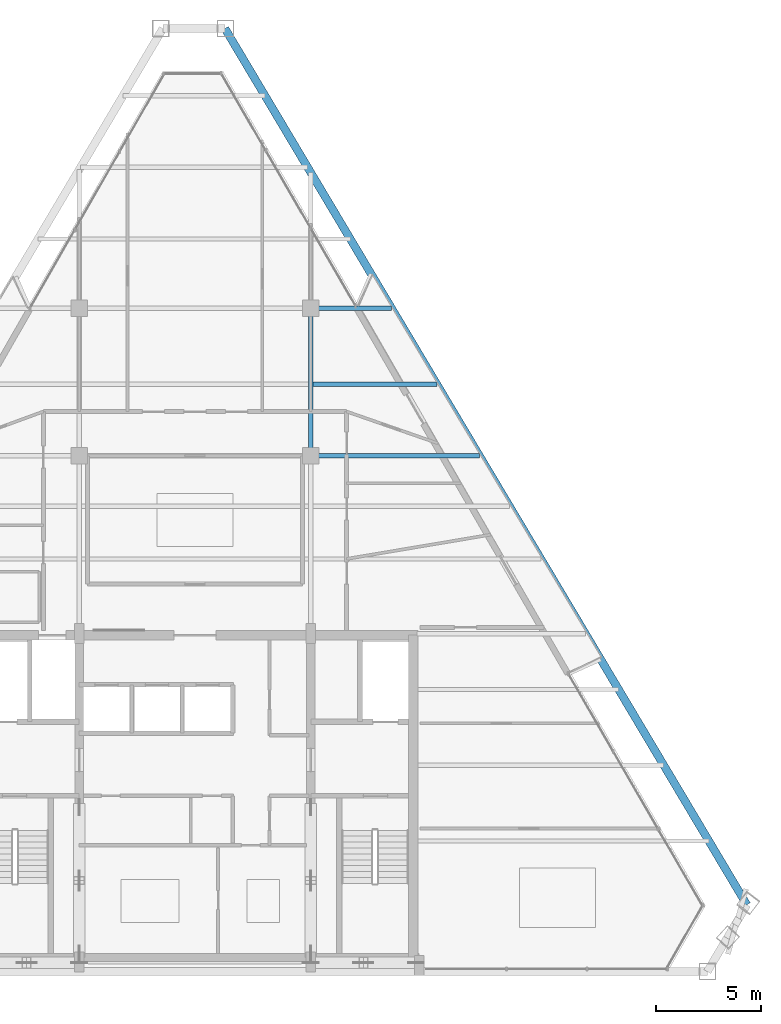
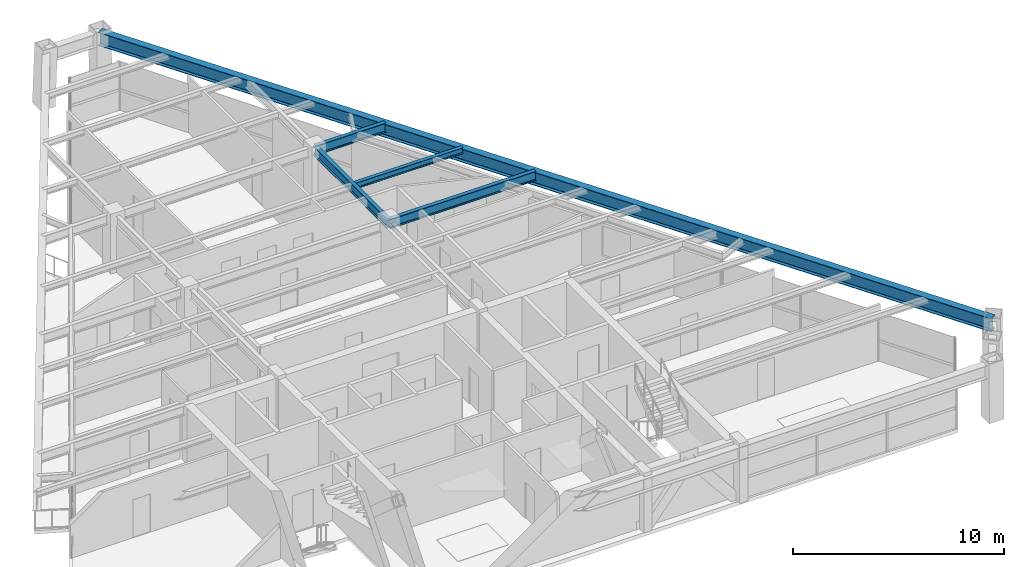
# One storey, part 6 of 13: 5 beams.
"""IFC4 building model written with IfcOpenShell, lengths in metres."""

from ifc_helpers import new_model, si_unit, direction, frame, origin, origin_2d, place, context, subcontext, project, spatial, i_section, extrude, source, transform, mapped, material, material_profile, profile_set, type_object, element, save


model = new_model("IFC4")

# Units and contexts
model_context = context("Model", 3, precision=1e-05, world=origin(), true_north=direction((0.0, 1.0)))
body_context = subcontext(model_context, "Body", "Model", "MODEL_VIEW")
ifc_project = project(units=[si_unit("LENGTHUNIT", "METRE"), si_unit("AREAUNIT", "SQUARE_METRE"), si_unit("VOLUMEUNIT", "CUBIC_METRE"), si_unit("PLANEANGLEUNIT", "RADIAN"), si_unit("MASSUNIT", "GRAM", prefix="KILO")], contexts=[model_context])

# Site, building, storey
site_placement = place(None, origin())
site = spatial("IfcSite", under=ifc_project, at=site_placement, CompositionType="ELEMENT")
building_placement = place(site_placement, origin())
building = spatial("IfcBuilding", under=site, at=building_placement, Name="Varnakhor Terracotta Tower", CompositionType="ELEMENT")
storey_placement = place(building_placement, frame((0.0, 0.0, 293.699951171875)))
storey = spatial("IfcBuildingStorey", under=building, at=storey_placement, Name="L77", CompositionType="ELEMENT", Elevation=293.699951171875)

# Beams
ifc_material = material(Name="Steel S355", Category="steel")
ifc_material_profile_1 = material_profile(ifc_material, i_section(OverallWidth=0.214111328125, OverallDepth=0.549072265625, WebThickness=0.014892578125, FlangeThickness=0.02392578125, FilletRadius=0.01806640625, at=origin_2d()), Name="W21X93")
ifc_profile_set_1 = profile_set([ifc_material_profile_1], Name="Steel S355")
beam_type_1 = type_object("IfcBeamType", Name="BM-W21X93", PredefinedType="BEAM", material=ifc_profile_set_1)
shared_shape_1 = source(origin(), body_context, "Body", "SweptSolid", [
    extrude(i_section(OverallWidth=0.214111328125, OverallDepth=0.549072265625, WebThickness=0.014892578125, FlangeThickness=0.02392578125, FilletRadius=0.01806640625, at=origin_2d()), origin(), (0.0, 0.0, 1.0), 7.0),
])
beam_1_placement = place(storey_placement, frame((5.5, 24.5, 2.965576171875), z_axis=(0.0, 1.0, 0.0), x_axis=(-1.0, 0.0, 0.0)))
element("IfcBeam", 1, at=beam_1_placement, inside=storey, type_object=beam_type_1, Name="L77 Primary Girder NS2-E", PredefinedType="BEAM", context=body_context, shape_type="MappedRepresentation", body=[
    mapped(shared_shape_1, transform((0.0, 0.0, 0.0), scale=1.0)),
])
ifc_material_profile_2 = material_profile(ifc_material, i_section(OverallWidth=0.381103515625, OverallDepth=0.77294921875, WebThickness=0.01708984375, FlangeThickness=0.027099609375, FilletRadius=0.01806640625, at=origin_2d()), Name="W30X173")
ifc_profile_set_2 = profile_set([ifc_material_profile_2], Name="Steel S355")
beam_type_2 = type_object("IfcBeamType", Name="BM-W30X173", PredefinedType="BEAM", material=ifc_profile_set_2)
shared_shape_2 = source(origin(), body_context, "Body", "SweptSolid", [
    extrude(i_section(OverallWidth=0.381103515625, OverallDepth=0.77294921875, WebThickness=0.01708984375, FlangeThickness=0.027099609375, FilletRadius=0.01806640625, at=origin_2d()), origin(), (0.0, 0.0, 1.0), 48.447265625),
])
beam_2_placement = place(storey_placement, frame((26.214111328125, 3.169189453125, 2.853515625), z_axis=(-0.511702139055, 0.85916291871, 0.0), x_axis=(-0.85916291871, -0.511702139055, 0.0)))
element("IfcBeam", 2, at=beam_2_placement, inside=storey, type_object=beam_type_2, Name="L77 Perimeter Spandrel 4", PredefinedType="BEAM", context=body_context, shape_type="MappedRepresentation", body=[
    mapped(shared_shape_2, transform((0.0, 0.0, 0.0), scale=1.0)),
])
shared_shape_3 = source(origin(), body_context, "Body", "SweptSolid", [
    extrude(i_section(OverallWidth=0.214111328125, OverallDepth=0.549072265625, WebThickness=0.014892578125, FlangeThickness=0.02392578125, FilletRadius=0.01806640625, at=origin_2d()), origin(), (0.0, 0.0, 1.0), 8.010009765625),
])
beam_3_placement = place(storey_placement, frame((5.5, 24.5, 2.965576171875), z_axis=(1.0, 0.0, 0.0), x_axis=(0.0, 1.0, 0.0)))
element("IfcBeam", 3, at=beam_3_placement, inside=storey, type_object=beam_type_1, Name="L77 Primary Girder EW2-3", PredefinedType="BEAM", context=body_context, shape_type="MappedRepresentation", body=[
    mapped(shared_shape_3, transform((0.0, 0.0, 0.0), scale=1.0)),
])
shared_shape_4 = source(origin(), body_context, "Body", "SweptSolid", [
    extrude(i_section(OverallWidth=0.214111328125, OverallDepth=0.549072265625, WebThickness=0.014892578125, FlangeThickness=0.02392578125, FilletRadius=0.01806640625, at=origin_2d()), origin(), (0.0, 0.0, 1.0), 3.8408203125),
])
beam_4_placement = place(storey_placement, frame((5.5, 31.5, 2.965576171875), z_axis=(1.0, 0.0, 0.0), x_axis=(0.0, 1.0, 0.0)))
element("IfcBeam", 4, at=beam_4_placement, inside=storey, type_object=beam_type_1, Name="L77 Primary Girder EW3-3", PredefinedType="BEAM", context=body_context, shape_type="MappedRepresentation", body=[
    mapped(shared_shape_4, transform((0.0, 0.0, 0.0), scale=1.0)),
])
ifc_material_profile_3 = material_profile(ifc_material, i_section(OverallWidth=0.202880859375, OverallDepth=0.346923828125, WebThickness=0.0078125, FlangeThickness=0.013427734375, FilletRadius=0.01806640625, at=origin_2d()), Name="W14X43")
ifc_profile_set_3 = profile_set([ifc_material_profile_3], Name="Steel S355")
beam_type_3 = type_object("IfcBeamType", Name="JST-W14X43", PredefinedType="JOIST", material=ifc_profile_set_3)
shared_shape_5 = source(origin(), body_context, "Body", "SweptSolid", [
    extrude(i_section(OverallWidth=0.202880859375, OverallDepth=0.346923828125, WebThickness=0.0078125, FlangeThickness=0.013427734375, FilletRadius=0.01806640625, at=origin_2d()), origin(), (0.0, 0.0, 1.0), 5.882080078125),
])
beam_5_placement = place(storey_placement, frame((5.60302734375, 27.89990234375, 3.066650390625), z_axis=(1.0, 0.0, 0.0), x_axis=(0.0, 1.0, 0.0)))
element("IfcBeam", 5, at=beam_5_placement, inside=storey, type_object=beam_type_3, Name="L77 Composite Floor Joist 6-3", PredefinedType="JOIST", context=body_context, shape_type="MappedRepresentation", body=[
    mapped(shared_shape_5, transform((0.0, 0.0, 0.0), scale=1.0)),
])

save(model, "model.ifc")
